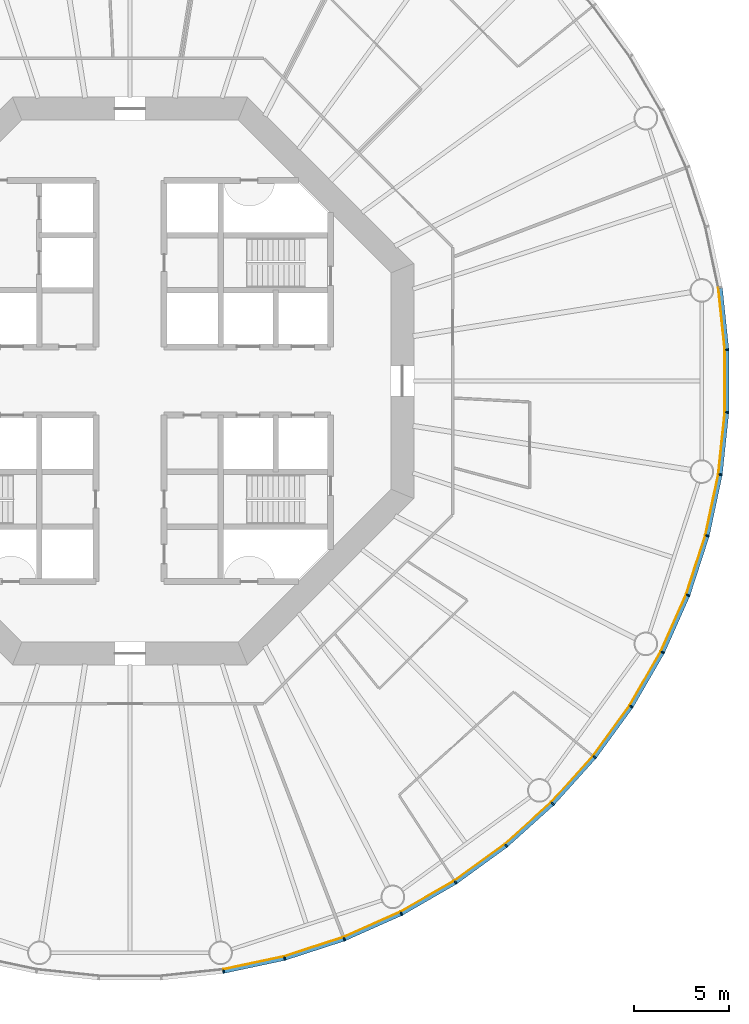
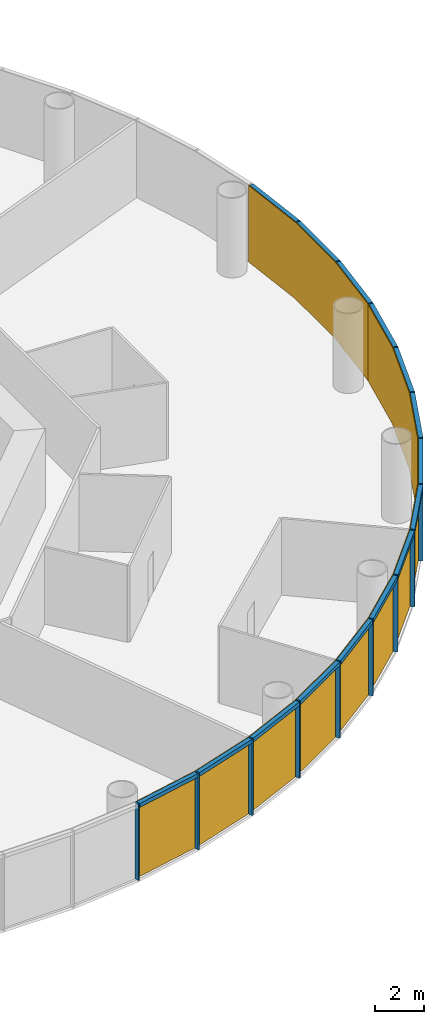
# One storey, part 9 of 13: 30 members, 5 curtain walls.
"""IFC4 building model written with IfcOpenShell, lengths in metres."""

from ifc_helpers import new_model, si_unit, direction, frame, origin, origin_2d, place, context, subcontext, project, spatial, polyline, rectangle, outline, extrude, material, layer, layer_set, material_profile, profile_set, type_object, element, aggregate, save


model = new_model("IFC4")

# Units and contexts
model_context = context("Model", 3, precision=1e-05, world=origin(), true_north=direction((0.0, 1.0)))
body_context = subcontext(model_context, "Body", "Model", "MODEL_VIEW")
ifc_project = project(units=[si_unit("LENGTHUNIT", "METRE"), si_unit("AREAUNIT", "SQUARE_METRE"), si_unit("VOLUMEUNIT", "CUBIC_METRE"), si_unit("PLANEANGLEUNIT", "RADIAN"), si_unit("MASSUNIT", "GRAM", prefix="KILO")], contexts=[model_context])

# Member
ifc_material_1 = material(Name="Anodised aluminium", Category="aluminium")
ifc_material_profile_1 = material_profile(ifc_material_1, rectangle(XDim=0.070068359375, YDim=0.199951171875, at=origin_2d()), Name="Mullion 70 x 200 mm anodised aluminium")
ifc_profile_set_1 = profile_set([ifc_material_profile_1], Name="Anodised aluminium")
member_type_1 = type_object("IfcMemberType", Name="Mullion 70 x 200 mm anodised aluminium", PredefinedType="MULLION", material=ifc_profile_set_1)
site_placement = place(None, origin())
building_placement = place(site_placement, origin())
storey_placement = place(building_placement, frame((0.0, 0.0, 108.0)))
member_1_placement = place(storey_placement, frame((94.943359375, 48.7890625, 0.0), z_axis=(0.0, 0.0, 1.0), x_axis=(0.987688340595, 0.15643446504, 0.0)))
member_1 = element("IfcMember", 1, at=member_1_placement, type_object=member_type_1, Name="MULLION L24-45", PredefinedType="MULLION", context=body_context, shape_type="SweptSolid", body=[
    extrude(rectangle(XDim=0.070068359375, YDim=0.199951171875, at=origin_2d()), origin(), (0.0, 0.0, 1.0), 3.85009765625),
])

member_2_placement = place(storey_placement, frame((98.1787109375, 49.476806640625, 0.0), z_axis=(0.0, 0.0, 1.0), x_axis=(0.965925826289, 0.258819045103, 0.0)))
member_2 = element("IfcMember", 2, at=member_2_placement, type_object=member_type_1, Name="MULLION L24-46", PredefinedType="MULLION", context=body_context, shape_type="SweptSolid", body=[
    extrude(rectangle(XDim=0.070068359375, YDim=0.199951171875, at=origin_2d()), origin(), (0.0, 0.0, 1.0), 3.85009765625),
])

member_3_placement = place(storey_placement, frame((101.324462890625, 50.498779296875, 0.0), z_axis=(0.0, 0.0, 1.0), x_axis=(0.933580426497, 0.358367949545, 0.0)))
member_3 = element("IfcMember", 3, at=member_3_placement, type_object=member_type_1, Name="MULLION L24-47", PredefinedType="MULLION", context=body_context, shape_type="SweptSolid", body=[
    extrude(rectangle(XDim=0.070068359375, YDim=0.199951171875, at=origin_2d()), origin(), (0.0, 0.0, 1.0), 3.85009765625),
])

member_4_placement = place(storey_placement, frame((104.34619140625, 51.84423828125, 0.0), z_axis=(0.0, 0.0, 1.0), x_axis=(0.891006524188, 0.45399049974, 0.0)))
member_4 = element("IfcMember", 4, at=member_4_placement, type_object=member_type_1, Name="MULLION L24-48", PredefinedType="MULLION", context=body_context, shape_type="SweptSolid", body=[
    extrude(rectangle(XDim=0.070068359375, YDim=0.199951171875, at=origin_2d()), origin(), (0.0, 0.0, 1.0), 3.85009765625),
])

member_5_placement = place(storey_placement, frame((107.210693359375, 53.498046875, 0.0), z_axis=(0.0, 0.0, 1.0), x_axis=(0.838670567945, 0.544639035015, 0.0)))
member_5 = element("IfcMember", 5, at=member_5_placement, type_object=member_type_1, Name="MULLION L24-49", PredefinedType="MULLION", context=body_context, shape_type="SweptSolid", body=[
    extrude(rectangle(XDim=0.070068359375, YDim=0.199951171875, at=origin_2d()), origin(), (0.0, 0.0, 1.0), 3.85009765625),
])

member_6_placement = place(storey_placement, frame((109.886474609375, 55.442138671875, 0.0), z_axis=(0.0, 0.0, 1.0), x_axis=(0.777145961457, 0.62932039105, 0.0)))
member_6 = element("IfcMember", 6, at=member_6_placement, type_object=member_type_1, Name="MULLION L24-50", PredefinedType="MULLION", context=body_context, shape_type="SweptSolid", body=[
    extrude(rectangle(XDim=0.070068359375, YDim=0.199951171875, at=origin_2d()), origin(), (0.0, 0.0, 1.0), 3.85009765625),
])

member_7_placement = place(storey_placement, frame((112.344482421875, 57.655517578125, 0.0), z_axis=(0.0, 0.0, 1.0), x_axis=(0.707106781187, 0.707106781187, 0.0)))
member_7 = element("IfcMember", 7, at=member_7_placement, type_object=member_type_1, Name="MULLION L24-51", PredefinedType="MULLION", context=body_context, shape_type="SweptSolid", body=[
    extrude(rectangle(XDim=0.070068359375, YDim=0.199951171875, at=origin_2d()), origin(), (0.0, 0.0, 1.0), 3.85009765625),
])

member_8_placement = place(storey_placement, frame((114.557861328125, 60.113525390625, 0.0), z_axis=(0.0, 0.0, 1.0), x_axis=(0.62932039105, 0.777145961457, 0.0)))
member_8 = element("IfcMember", 8, at=member_8_placement, type_object=member_type_1, Name="MULLION L24-52", PredefinedType="MULLION", context=body_context, shape_type="SweptSolid", body=[
    extrude(rectangle(XDim=0.070068359375, YDim=0.199951171875, at=origin_2d()), origin(), (0.0, 0.0, 1.0), 3.85009765625),
])

member_9_placement = place(storey_placement, frame((116.501953125, 62.789306640625, 0.0), z_axis=(0.0, 0.0, 1.0), x_axis=(0.544639035015, 0.838670567945, 0.0)))
member_9 = element("IfcMember", 9, at=member_9_placement, type_object=member_type_1, Name="MULLION L24-53", PredefinedType="MULLION", context=body_context, shape_type="SweptSolid", body=[
    extrude(rectangle(XDim=0.070068359375, YDim=0.199951171875, at=origin_2d()), origin(), (0.0, 0.0, 1.0), 3.85009765625),
])

member_10_placement = place(storey_placement, frame((118.15576171875, 65.65380859375, 0.0), z_axis=(0.0, 0.0, 1.0), x_axis=(0.45399049974, 0.891006524188, 0.0)))
member_10 = element("IfcMember", 10, at=member_10_placement, type_object=member_type_1, Name="MULLION L24-54", PredefinedType="MULLION", context=body_context, shape_type="SweptSolid", body=[
    extrude(rectangle(XDim=0.070068359375, YDim=0.199951171875, at=origin_2d()), origin(), (0.0, 0.0, 1.0), 3.85009765625),
])

member_11_placement = place(storey_placement, frame((119.501220703125, 68.675537109375, 0.0), z_axis=(0.0, 0.0, 1.0), x_axis=(0.358367949545, 0.933580426497, 0.0)))
member_11 = element("IfcMember", 11, at=member_11_placement, type_object=member_type_1, Name="MULLION L24-55", PredefinedType="MULLION", context=body_context, shape_type="SweptSolid", body=[
    extrude(rectangle(XDim=0.070068359375, YDim=0.199951171875, at=origin_2d()), origin(), (0.0, 0.0, 1.0), 3.85009765625),
])

member_12_placement = place(storey_placement, frame((120.523193359375, 71.8212890625, 0.0), z_axis=(0.0, 0.0, 1.0), x_axis=(0.258819045103, 0.965925826289, 0.0)))
member_12 = element("IfcMember", 12, at=member_12_placement, type_object=member_type_1, Name="MULLION L24-56", PredefinedType="MULLION", context=body_context, shape_type="SweptSolid", body=[
    extrude(rectangle(XDim=0.070068359375, YDim=0.199951171875, at=origin_2d()), origin(), (0.0, 0.0, 1.0), 3.85009765625),
])

member_13_placement = place(storey_placement, frame((121.2109375, 75.056640625, 0.0), z_axis=(0.0, 0.0, 1.0), x_axis=(0.15643446504, 0.987688340595, 0.0)))
member_13 = element("IfcMember", 13, at=member_13_placement, type_object=member_type_1, Name="MULLION L24-57", PredefinedType="MULLION", context=body_context, shape_type="SweptSolid", body=[
    extrude(rectangle(XDim=0.070068359375, YDim=0.199951171875, at=origin_2d()), origin(), (0.0, 0.0, 1.0), 3.85009765625),
])

member_14_placement = place(storey_placement, frame((121.556640625, 78.34619140625, 0.0), z_axis=(0.0, 0.0, 1.0), x_axis=(0.052335956243, 0.998629534755, 0.0)))
member_14 = element("IfcMember", 14, at=member_14_placement, type_object=member_type_1, Name="MULLION L24-58", PredefinedType="MULLION", context=body_context, shape_type="SweptSolid", body=[
    extrude(rectangle(XDim=0.070068359375, YDim=0.199951171875, at=origin_2d()), origin(), (0.0, 0.0, 1.0), 3.85009765625),
])

member_15_placement = place(storey_placement, frame((121.556640625, 81.65380859375, 0.0), z_axis=(0.0, 0.0, 1.0), x_axis=(-0.052335956243, 0.998629534755, 0.0)))
member_15 = element("IfcMember", 15, at=member_15_placement, type_object=member_type_1, Name="MULLION L24-59", PredefinedType="MULLION", context=body_context, shape_type="SweptSolid", body=[
    extrude(rectangle(XDim=0.070068359375, YDim=0.199951171875, at=origin_2d()), origin(), (0.0, 0.0, 1.0), 3.85009765625),
])

ifc_material_2 = material(Name="Anodised aluminium", Category="aluminium")
ifc_material_profile_2 = material_profile(ifc_material_2, rectangle(XDim=0.199951171875, YDim=0.18994140625, at=origin_2d()), Name="Transom 190 x 200 mm anodised aluminium")
ifc_profile_set_2 = profile_set([ifc_material_profile_2], Name="Anodised aluminium")
member_type_2 = type_object("IfcMemberType", Name="Transom 190 x 200 mm anodised aluminium", PredefinedType="USERDEFINED", material=ifc_profile_set_2)
member_16_placement = place(storey_placement, frame((94.982666015625, 48.79736328125, 3.7548828125), z_axis=(0.978153082647, 0.207885898771, 0.0), x_axis=(-0.207885898771, 0.978153082647, 0.0)))
member_16 = element("IfcMember", 16, at=member_16_placement, type_object=member_type_2, Name="TRANSOM L24-45", ObjectType="TRANSOM", PredefinedType="USERDEFINED", context=body_context, shape_type="SweptSolid", body=[
    extrude(rectangle(XDim=0.199951171875, YDim=0.18994140625, at=origin_2d()), origin(), (0.0, 0.0, 1.0), 3.227294921875),
])

member_17_placement = place(storey_placement, frame((98.217041015625, 49.489013671875, 3.7548828125), z_axis=(0.951046855117, 0.309046726844, 0.0), x_axis=(-0.309046726844, 0.951046855117, 0.0)))
member_17 = element("IfcMember", 17, at=member_17_placement, type_object=member_type_2, Name="TRANSOM L24-46", ObjectType="TRANSOM", PredefinedType="USERDEFINED", context=body_context, shape_type="SweptSolid", body=[
    extrude(rectangle(XDim=0.199951171875, YDim=0.18994140625, at=origin_2d()), origin(), (0.0, 0.0, 1.0), 3.22705078125),
])

member_18_placement = place(storey_placement, frame((101.361328125, 50.51513671875, 3.7548828125), z_axis=(0.913549291349, 0.406728032322, 0.0), x_axis=(-0.406728032322, 0.913549291349, 0.0)))
member_18 = element("IfcMember", 18, at=member_18_placement, type_object=member_type_2, Name="TRANSOM L24-47", ObjectType="TRANSOM", PredefinedType="USERDEFINED", context=body_context, shape_type="SweptSolid", body=[
    extrude(rectangle(XDim=0.199951171875, YDim=0.18994140625, at=origin_2d()), origin(), (0.0, 0.0, 1.0), 3.22705078125),
])

member_19_placement = place(storey_placement, frame((104.381103515625, 51.8642578125, 3.7548828125), z_axis=(0.866023062494, 0.500004055213, 0.0), x_axis=(-0.500004055213, 0.866023062494, 0.0)))
member_19 = element("IfcMember", 19, at=member_19_placement, type_object=member_type_2, Name="TRANSOM L24-48", ObjectType="TRANSOM", PredefinedType="USERDEFINED", context=body_context, shape_type="SweptSolid", body=[
    extrude(rectangle(XDim=0.199951171875, YDim=0.18994140625, at=origin_2d()), origin(), (0.0, 0.0, 1.0), 3.22705078125),
])

member_20_placement = place(storey_placement, frame((107.2431640625, 53.521484375, 3.7548828125), z_axis=(0.809004252048, 0.587802790201, 0.0), x_axis=(-0.587802790201, 0.809004252048, 0.0)))
member_20 = element("IfcMember", 20, at=member_20_placement, type_object=member_type_2, Name="TRANSOM L24-49", ObjectType="TRANSOM", PredefinedType="USERDEFINED", context=body_context, shape_type="SweptSolid", body=[
    extrude(rectangle(XDim=0.199951171875, YDim=0.18994140625, at=origin_2d()), origin(), (0.0, 0.0, 1.0), 3.227294921875),
])

member_21_placement = place(storey_placement, frame((109.91650390625, 55.468994140625, 3.7548828125), z_axis=(0.743132370743, 0.669144438484, 0.0), x_axis=(-0.669144438484, 0.743132370743, 0.0)))
member_21 = element("IfcMember", 21, at=member_21_placement, type_object=member_type_2, Name="TRANSOM L24-50", ObjectType="TRANSOM", PredefinedType="USERDEFINED", context=body_context, shape_type="SweptSolid", body=[
    extrude(rectangle(XDim=0.199951171875, YDim=0.18994140625, at=origin_2d()), origin(), (0.0, 0.0, 1.0), 3.22705078125),
])

member_22_placement = place(storey_placement, frame((112.37158203125, 57.685302734375, 3.7548828125), z_axis=(0.669144438484, 0.743132370743, 0.0), x_axis=(-0.743132370743, 0.669144438484, 0.0)))
member_22 = element("IfcMember", 22, at=member_22_placement, type_object=member_type_2, Name="TRANSOM L24-51", ObjectType="TRANSOM", PredefinedType="USERDEFINED", context=body_context, shape_type="SweptSolid", body=[
    extrude(rectangle(XDim=0.199951171875, YDim=0.18994140625, at=origin_2d()), origin(), (0.0, 0.0, 1.0), 3.22705078125),
])

member_23_placement = place(storey_placement, frame((114.58154296875, 60.14599609375, 3.7548828125), z_axis=(0.587802790201, 0.809004252048, 0.0), x_axis=(-0.809004252048, 0.587802790201, 0.0)))
member_23 = element("IfcMember", 23, at=member_23_placement, type_object=member_type_2, Name="TRANSOM L24-52", ObjectType="TRANSOM", PredefinedType="USERDEFINED", context=body_context, shape_type="SweptSolid", body=[
    extrude(rectangle(XDim=0.199951171875, YDim=0.18994140625, at=origin_2d()), origin(), (0.0, 0.0, 1.0), 3.227294921875),
])

member_24_placement = place(storey_placement, frame((116.522216796875, 62.82421875, 3.7548828125), z_axis=(0.500004055213, 0.866023062494, 0.0), x_axis=(-0.866023062494, 0.500004055213, 0.0)))
member_24 = element("IfcMember", 24, at=member_24_placement, type_object=member_type_2, Name="TRANSOM L24-53", ObjectType="TRANSOM", PredefinedType="USERDEFINED", context=body_context, shape_type="SweptSolid", body=[
    extrude(rectangle(XDim=0.199951171875, YDim=0.18994140625, at=origin_2d()), origin(), (0.0, 0.0, 1.0), 3.22705078125),
])

member_25_placement = place(storey_placement, frame((118.17236328125, 65.690673828125, 3.7548828125), z_axis=(0.406728032322, 0.913549291349, 0.0), x_axis=(-0.913549291349, 0.406728032322, 0.0)))
member_25 = element("IfcMember", 25, at=member_25_placement, type_object=member_type_2, Name="TRANSOM L24-54", ObjectType="TRANSOM", PredefinedType="USERDEFINED", context=body_context, shape_type="SweptSolid", body=[
    extrude(rectangle(XDim=0.199951171875, YDim=0.18994140625, at=origin_2d()), origin(), (0.0, 0.0, 1.0), 3.22705078125),
])

member_26_placement = place(storey_placement, frame((119.513671875, 68.7138671875, 3.7548828125), z_axis=(0.309046726844, 0.951046855117, 0.0), x_axis=(-0.951046855117, 0.309046726844, 0.0)))
member_26 = element("IfcMember", 26, at=member_26_placement, type_object=member_type_2, Name="TRANSOM L24-55", ObjectType="TRANSOM", PredefinedType="USERDEFINED", context=body_context, shape_type="SweptSolid", body=[
    extrude(rectangle(XDim=0.199951171875, YDim=0.18994140625, at=origin_2d()), origin(), (0.0, 0.0, 1.0), 3.22705078125),
])

member_27_placement = place(storey_placement, frame((120.53173828125, 71.860595703125, 3.7548828125), z_axis=(0.207885898771, 0.978153082647, 0.0), x_axis=(-0.978153082647, 0.207885898771, 0.0)))
member_27 = element("IfcMember", 27, at=member_27_placement, type_object=member_type_2, Name="TRANSOM L24-56", ObjectType="TRANSOM", PredefinedType="USERDEFINED", context=body_context, shape_type="SweptSolid", body=[
    extrude(rectangle(XDim=0.199951171875, YDim=0.18994140625, at=origin_2d()), origin(), (0.0, 0.0, 1.0), 3.227294921875),
])

member_28_placement = place(storey_placement, frame((121.21533203125, 75.0966796875, 3.7548828125), z_axis=(0.104550890115, 0.994519537956, 0.0), x_axis=(-0.994519537956, 0.104550890115, 0.0)))
member_28 = element("IfcMember", 28, at=member_28_placement, type_object=member_type_2, Name="TRANSOM L24-57", ObjectType="TRANSOM", PredefinedType="USERDEFINED", context=body_context, shape_type="SweptSolid", body=[
    extrude(rectangle(XDim=0.199951171875, YDim=0.18994140625, at=origin_2d()), origin(), (0.0, 0.0, 1.0), 3.22705078125),
])

member_29_placement = place(storey_placement, frame((121.556884765625, 78.386474609375, 3.7548828125), z_axis=(0.0, 1.0, 0.0), x_axis=(-1.0, 0.0, 0.0)))
member_29 = element("IfcMember", 29, at=member_29_placement, type_object=member_type_2, Name="TRANSOM L24-58", ObjectType="TRANSOM", PredefinedType="USERDEFINED", context=body_context, shape_type="SweptSolid", body=[
    extrude(rectangle(XDim=0.199951171875, YDim=0.18994140625, at=origin_2d()), origin(), (0.0, 0.0, 1.0), 3.22705078125),
])

member_30_placement = place(storey_placement, frame((121.552734375, 81.69384765625, 3.7548828125), z_axis=(-0.104550890115, 0.994519537956, 0.0), x_axis=(-0.994519537956, -0.104550890115, 0.0)))
member_30 = element("IfcMember", 30, at=member_30_placement, type_object=member_type_2, Name="TRANSOM L24-59", ObjectType="TRANSOM", PredefinedType="USERDEFINED", context=body_context, shape_type="SweptSolid", body=[
    extrude(rectangle(XDim=0.199951171875, YDim=0.18994140625, at=origin_2d()), origin(), (0.0, 0.0, 1.0), 3.22705078125),
])

# Site, building, storey
site = spatial("IfcSite", under=ifc_project, at=site_placement, CompositionType="ELEMENT")
building = spatial("IfcBuilding", under=site, at=building_placement, Name="Entoto Ring Tower", CompositionType="ELEMENT")
storey = spatial("IfcBuildingStorey", under=building, at=storey_placement, Name="L24", CompositionType="ELEMENT", Elevation=108.0)

# Curtain wall
ifc_material_3 = material(Name="Clear low-iron glass", Category="glass")
ifc_layer = layer(ifc_material_3, 0.035888671875)
ifc_layer_set = layer_set([ifc_layer], Name="Clear low-iron glass")
curtain_wall_type = type_object("IfcCurtainWallType", Name="Curtain wall system CW2 glazing 36 mm", PredefinedType="NOTDEFINED", material=ifc_layer_set)
curtain_wall_1_placement = place(storey_placement, origin())
curtain_wall_1 = element("IfcCurtainWall", 31, at=curtain_wall_1_placement, inside=storey, type_object=curtain_wall_type, Name="CW2 L24-16", PredefinedType="NOTDEFINED", context=body_context, shape_type="SweptSolid", body=[
    extrude(outline(polyline([(94.927734375, 48.8876953125), (98.15283203125, 49.5732421875), (101.28857421875, 50.59228515625), (104.30078125, 51.933349609375), (104.284423828125, 51.96533203125), (101.275634765625, 50.6259765625), (98.1435546875, 49.608154296875), (94.922119140625, 48.92333984375), (94.927734375, 48.8876953125)])), origin(), (0.0, 0.0, 1.0), 3.85009765625),
])

aggregate(curtain_wall_1, [member_1, member_2, member_3, member_16, member_17, member_18])

curtain_wall_2_placement = place(storey_placement, origin())
curtain_wall_2 = element("IfcCurtainWall", 32, at=curtain_wall_2_placement, inside=storey, type_object=curtain_wall_type, Name="CW2 L24-17", PredefinedType="NOTDEFINED", context=body_context, shape_type="SweptSolid", body=[
    extrude(outline(polyline([(104.30078125, 51.933349609375), (107.15625, 53.581787109375), (109.823486328125, 55.52001953125), (112.27392578125, 57.72607421875), (112.248291015625, 57.751708984375), (109.801025390625, 55.5478515625), (107.136474609375, 53.612060546875), (104.284423828125, 51.96533203125), (104.30078125, 51.933349609375)])), origin(), (0.0, 0.0, 1.0), 3.85009765625),
])

aggregate(curtain_wall_2, [member_4, member_5, member_6, member_19, member_20, member_21])

curtain_wall_3_placement = place(storey_placement, origin())
curtain_wall_3 = element("IfcCurtainWall", 33, at=curtain_wall_3_placement, inside=storey, type_object=curtain_wall_type, Name="CW2 L24-18", PredefinedType="NOTDEFINED", context=body_context, shape_type="SweptSolid", body=[
    extrude(outline(polyline([(112.27392578125, 57.72607421875), (114.47998046875, 60.176513671875), (116.418212890625, 62.84375), (118.066650390625, 65.69921875), (118.03466796875, 65.715576171875), (116.387939453125, 62.863525390625), (114.4521484375, 60.198974609375), (112.248291015625, 57.751708984375), (112.27392578125, 57.72607421875)])), origin(), (0.0, 0.0, 1.0), 3.85009765625),
])

aggregate(curtain_wall_3, [member_7, member_8, member_9, member_22, member_23, member_24])

curtain_wall_4_placement = place(storey_placement, origin())
curtain_wall_4 = element("IfcCurtainWall", 34, at=curtain_wall_4_placement, inside=storey, type_object=curtain_wall_type, Name="CW2 L24-19", PredefinedType="NOTDEFINED", context=body_context, shape_type="SweptSolid", body=[
    extrude(outline(polyline([(118.066650390625, 65.69921875), (119.40771484375, 68.71142578125), (120.4267578125, 71.84716796875), (121.1123046875, 75.072265625), (121.07666015625, 75.077880859375), (120.391845703125, 71.8564453125), (119.3740234375, 68.724365234375), (118.03466796875, 65.715576171875), (118.066650390625, 65.69921875)])), origin(), (0.0, 0.0, 1.0), 3.85009765625),
])

aggregate(curtain_wall_4, [member_10, member_11, member_12, member_25, member_26, member_27])

curtain_wall_5_placement = place(storey_placement, origin())
curtain_wall_5 = element("IfcCurtainWall", 35, at=curtain_wall_5_placement, inside=storey, type_object=curtain_wall_type, Name="CW2 L24-20", PredefinedType="NOTDEFINED", context=body_context, shape_type="SweptSolid", body=[
    extrude(outline(polyline([(121.1123046875, 75.072265625), (121.456787109375, 78.351318359375), (121.456787109375, 81.648681640625), (121.1123046875, 84.927734375), (121.07666015625, 84.922119140625), (121.4208984375, 81.646728515625), (121.4208984375, 78.353271484375), (121.07666015625, 75.077880859375), (121.1123046875, 75.072265625)])), origin(), (0.0, 0.0, 1.0), 3.85009765625),
])

aggregate(curtain_wall_5, [member_13, member_14, member_15, member_28, member_29, member_30])

save(model, "model.ifc")
